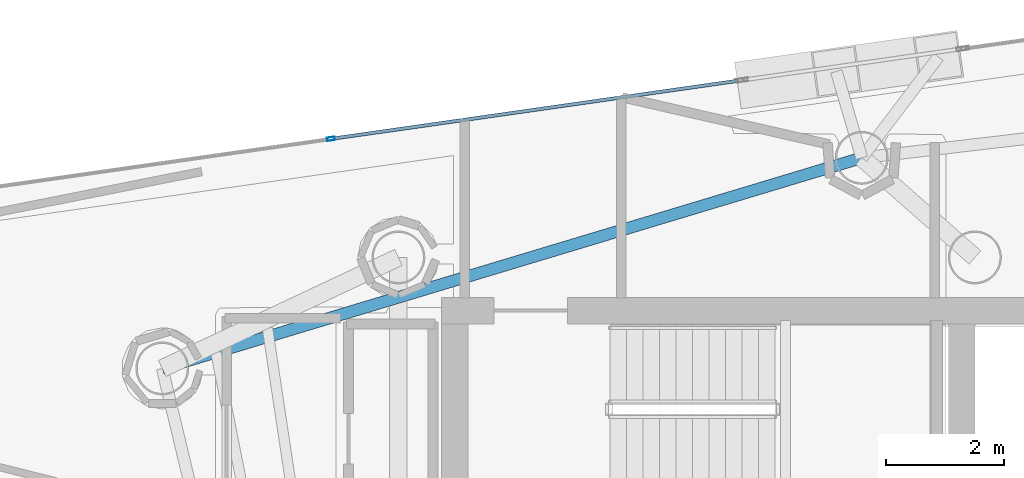
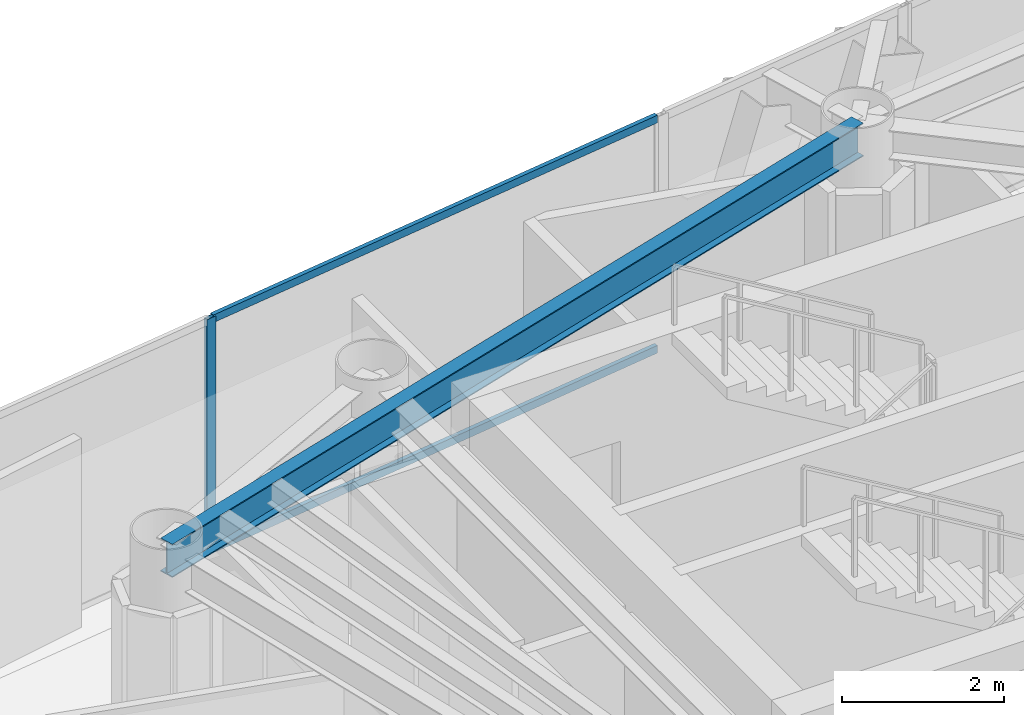
# One storey, part 12 of 25: 3 members, 1 beam, 1 element without a shape of its own.
"""IFC4 building model written with IfcOpenShell, lengths in metres."""

from ifc_helpers import new_model, si_unit, direction, frame, origin, origin_2d, place, context, subcontext, project, spatial, hollow_rectangle, i_section, extrude, material, layer, layer_set, material_profile, profile_set, type_object, element, aggregate, save


model = new_model("IFC4")

# Units and contexts
model_context = context("Model", 3, precision=1e-05, world=origin(), true_north=direction((0.0, 1.0)))
body_context = subcontext(model_context, "Body", "Model", "MODEL_VIEW")
ifc_project = project(units=[si_unit("LENGTHUNIT", "METRE"), si_unit("AREAUNIT", "SQUARE_METRE"), si_unit("VOLUMEUNIT", "CUBIC_METRE"), si_unit("PLANEANGLEUNIT", "RADIAN"), si_unit("MASSUNIT", "GRAM", prefix="KILO")], contexts=[model_context])

# Site, building, storey
site_placement = place(None, origin())
site = spatial("IfcSite", under=ifc_project, at=site_placement, CompositionType="ELEMENT")
building_placement = place(site_placement, origin())
building = spatial("IfcBuilding", under=site, at=building_placement, Name="Qianvela Tower", CompositionType="ELEMENT")
storey_placement = place(building_placement, frame((0.0, 0.0, 291.699951171875)))
storey = spatial("IfcBuildingStorey", under=building, at=storey_placement, Name="L75", CompositionType="ELEMENT", Elevation=291.699951171875)

# Beam
ifc_material_1 = material(Name="Steel Q355B", Category="steel")
ifc_material_profile_1 = material_profile(ifc_material_1, i_section(OverallWidth=0.199951171875, OverallDepth=0.5, WebThickness=0.010009765625, FlangeThickness=0.01611328125, at=origin_2d()), Name="HN500x200x10x16")
ifc_profile_set_1 = profile_set([ifc_material_profile_1], Name="Steel Q355B")
beam_type = type_object("IfcBeamType", Name="BM-HN500-GIRD", PredefinedType="BEAM", material=ifc_profile_set_1)
beam_placement = place(storey_placement, frame((36.47607421875, 35.242919921875, 3.26806640625), z_axis=(-0.957535726794, -0.288314640478, 0.0), x_axis=(0.288314640478, -0.957535726794, 0.0)))
element("IfcBeam", 1, at=beam_placement, inside=storey, type_object=beam_type, Name="L75 Perimeter Ring Spandrel Girder 2", PredefinedType="BEAM", context=body_context, shape_type="SweptSolid", body=[
    extrude(i_section(OverallWidth=0.199951171875, OverallDepth=0.5, WebThickness=0.010009765625, FlangeThickness=0.01611328125, at=origin_2d()), origin(), (0.0, 0.0, 1.0), 12.41650390625),
])

# Curtain wall, members
ifc_material_2 = material(Name="Anodised Architectural Aluminium and Low-E Glass", Category="aluminium")
ifc_layer = layer(ifc_material_2, 0.14990234375)
ifc_layer_set = layer_set([ifc_layer], Name="Anodised Architectural Aluminium and Low-E Glass")
curtain_wall_type = type_object("IfcCurtainWallType", Name="CW-COLIV-Z78", PredefinedType="USERDEFINED", material=ifc_layer_set)
curtain_wall_placement = place(storey_placement, origin())
curtain_wall = element("IfcCurtainWall", 2, at=curtain_wall_placement, inside=storey, type_object=curtain_wall_type, Name="L75 CW-COLIV-Z78 Curtain Wall 02C", ObjectType="CURTAIN_WALL_SYSTEM", PredefinedType="USERDEFINED")
ifc_material_3 = material(Name="Anodised Architectural Aluminium 6063-T6", Category="aluminium")
ifc_material_profile_2 = material_profile(ifc_material_3, hollow_rectangle(XDim=0.06005859375, YDim=0.139892578125, WallThickness=0.00439453125, at=origin_2d()), Name="ALU-MULL-60x140")
ifc_profile_set_2 = profile_set([ifc_material_profile_2], Name="Anodised Architectural Aluminium 6063-T6")
member_type_1 = type_object("IfcMemberType", Name="CW-COLIV-Z78-MULL", PredefinedType="MULLION", material=ifc_profile_set_2)
member_1_placement = place(storey_placement, frame((27.45703125, 35.56591796875, 0.0), z_axis=(0.0, 0.0, 1.0), x_axis=(0.141364696519, -0.989957586252, 0.0)))
member_1 = element("IfcMember", 3, at=member_1_placement, type_object=member_type_1, Name="CW-6 mullion 2", PredefinedType="MULLION", context=body_context, shape_type="SweptSolid", body=[
    extrude(hollow_rectangle(XDim=0.06005859375, YDim=0.139892578125, WallThickness=0.00439453125, at=origin_2d()), origin(), (0.0, 0.0, 1.0), 3.52001953125),
])
ifc_material_4 = material(Name="Anodised Architectural Aluminium 6063-T6", Category="aluminium")
ifc_material_profile_3 = material_profile(ifc_material_4, hollow_rectangle(XDim=0.06005859375, YDim=0.114990234375, WallThickness=0.00390625, at=origin_2d()), Name="ALU-TRAN-60x115")
ifc_profile_set_3 = profile_set([ifc_material_profile_3], Name="Anodised Architectural Aluminium 6063-T6")
member_type_2 = type_object("IfcMemberType", Name="CW-COLIV-Z78-TRAN", PredefinedType="USERDEFINED", material=ifc_profile_set_3)
member_2_placement = place(storey_placement, frame((34.369140625, 36.552978515625, 0.030029296875), z_axis=(-0.989955111639, -0.141382024812, 0.0), x_axis=(0.141382024812, -0.989955111639, 0.0)))
member_2 = element("IfcMember", 4, at=member_2_placement, type_object=member_type_2, Name="CW-6 transom 1.1", ObjectType="TRANSOM", PredefinedType="USERDEFINED", context=body_context, shape_type="SweptSolid", body=[
    extrude(hollow_rectangle(XDim=0.06005859375, YDim=0.114990234375, WallThickness=0.00390625, at=origin_2d()), origin(), (0.0, 0.0, 1.0), 6.9521484375),
])
member_3_placement = place(storey_placement, frame((34.369140625, 36.552978515625, 3.489990234375), z_axis=(-0.989955111639, -0.141382024812, 0.0), x_axis=(0.141382024812, -0.989955111639, 0.0)))
member_3 = element("IfcMember", 5, at=member_3_placement, type_object=member_type_2, Name="CW-6 transom 1.2", ObjectType="TRANSOM", PredefinedType="USERDEFINED", context=body_context, shape_type="SweptSolid", body=[
    extrude(hollow_rectangle(XDim=0.06005859375, YDim=0.114990234375, WallThickness=0.00390625, at=origin_2d()), origin(), (0.0, 0.0, 1.0), 6.9521484375),
])
aggregate(curtain_wall, [member_1, member_2, member_3])

save(model, "model.ifc")
